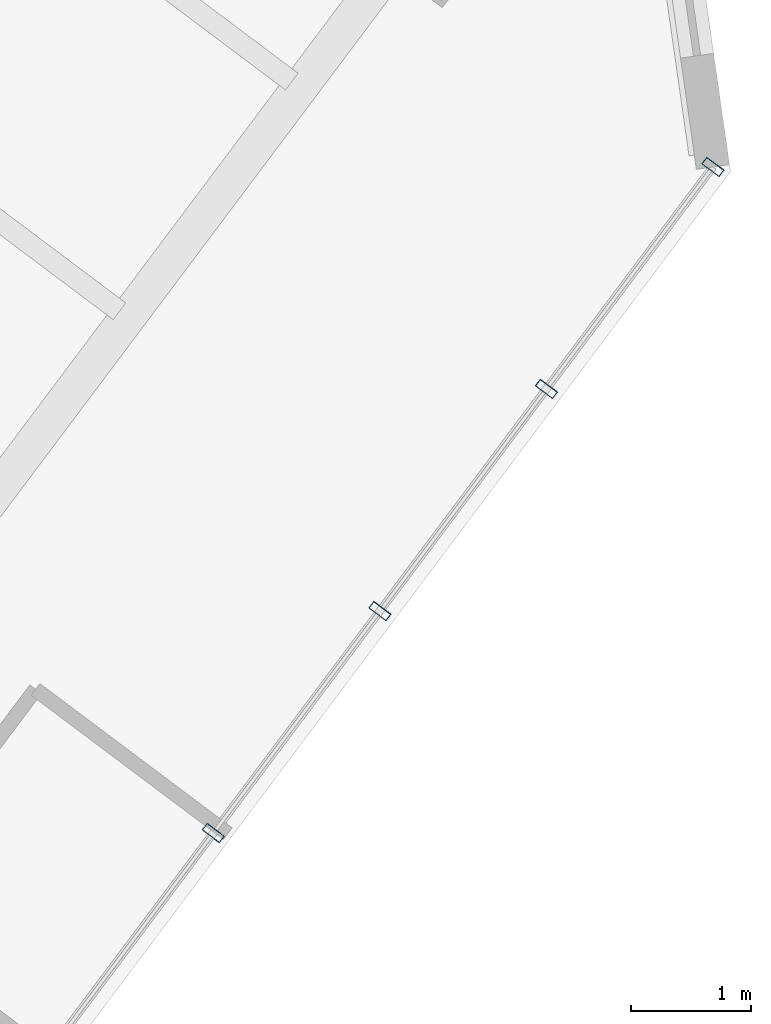
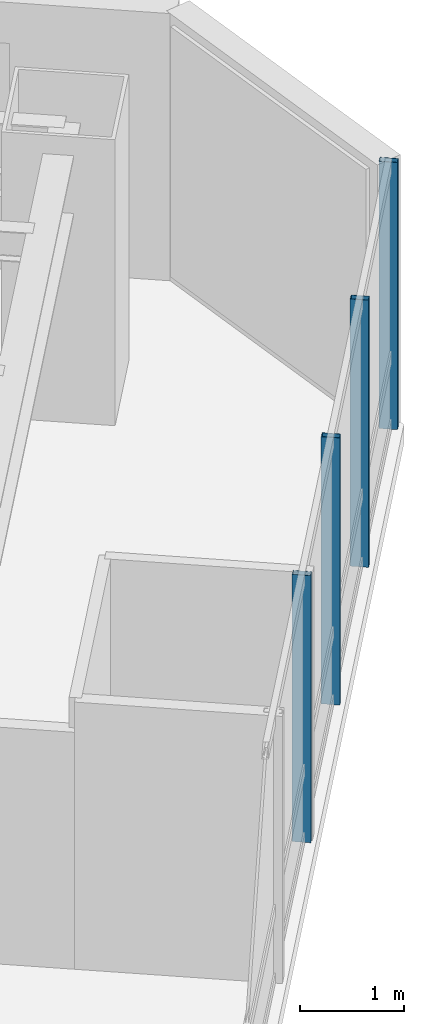
# One storey, part 19 of 33: 4 members, 1 element without a shape of its own.
"""IFC4 building model written with IfcOpenShell, lengths in metres."""

from ifc_helpers import new_model, si_unit, direction, frame, origin, origin_2d, place, context, subcontext, project, spatial, hollow_rectangle, extrude, material, layer, layer_set, material_profile, profile_set, type_object, element, aggregate, save


model = new_model("IFC4")

# Units and contexts
model_context = context("Model", 3, precision=1e-05, world=origin(), true_north=direction((0.0, 1.0)))
body_context = subcontext(model_context, "Body", "Model", "MODEL_VIEW")
ifc_project = project(units=[si_unit("LENGTHUNIT", "METRE"), si_unit("AREAUNIT", "SQUARE_METRE"), si_unit("VOLUMEUNIT", "CUBIC_METRE"), si_unit("PLANEANGLEUNIT", "RADIAN"), si_unit("MASSUNIT", "GRAM", prefix="KILO")], contexts=[model_context])

# Site, building, storey
site_placement = place(None, origin())
site = spatial("IfcSite", under=ifc_project, at=site_placement, CompositionType="ELEMENT")
building_placement = place(site_placement, origin())
building = spatial("IfcBuilding", under=site, at=building_placement, Name="Hatsunagi Terrace Concourse", CompositionType="ELEMENT")
storey_placement = place(building_placement, frame((0.0, 0.0, 53.35009765625)))
storey = spatial("IfcBuildingStorey", under=building, at=storey_placement, Name="L13", CompositionType="ELEMENT", Elevation=53.35009765625)

# Curtain wall, members
ifc_material_1 = material(Name="Anodised Aluminium Alloy 6063-T5", Category="aluminium")
ifc_layer = layer(ifc_material_1, 0.199951171875)
ifc_layer_set = layer_set([ifc_layer], Name="HotelFacade_CW02")
curtain_wall_type = type_object("IfcCurtainWallType", Name="HotelFacade_CW02", PredefinedType="NOTDEFINED", material=ifc_layer_set)
curtain_wall_placement = place(storey_placement, origin())
curtain_wall = element("IfcCurtainWall", 1, at=curtain_wall_placement, inside=storey, type_object=curtain_wall_type, Name="Unitised Curtain Wall CW-02 CW-L13-03", PredefinedType="NOTDEFINED")
ifc_material_2 = material(Name="Anodised Aluminium Alloy 6063-T5", Category="aluminium")
ifc_material_profile = material_profile(ifc_material_2, hollow_rectangle(XDim=0.070068359375, YDim=0.179931640625, WallThickness=0.00390625, at=origin_2d()), Name="ALU-MUL-180x70x4")
ifc_profile_set = profile_set([ifc_material_profile], Name="Anodised Aluminium Alloy 6063-T5")
member_type = type_object("IfcMemberType", Name="CurtainWallMullion_180x70", PredefinedType="MULLION", material=ifc_profile_set)
member_1_placement = place(storey_placement, frame((69.093017578125, 19.657958984375, 0.0), z_axis=(0.0, 0.0, 1.0), x_axis=(-0.599969314634, -0.800023013105, 0.0)))
member_1 = element("IfcMember", 2, at=member_1_placement, type_object=member_type, Name="Curtain Wall Mullion MUL-02", PredefinedType="MULLION", context=body_context, shape_type="SweptSolid", body=[
    extrude(hollow_rectangle(XDim=0.070068359375, YDim=0.179931640625, WallThickness=0.00390625, at=origin_2d()), origin(), (0.0, 0.0, 1.0), 3.1298828125),
])
member_2_placement = place(storey_placement, frame((67.700927734375, 17.802001953125, 0.0), z_axis=(0.0, 0.0, 1.0), x_axis=(-0.599969314634, -0.800023013105, 0.0)))
member_2 = element("IfcMember", 3, at=member_2_placement, type_object=member_type, Name="Curtain Wall Mullion MUL-02", PredefinedType="MULLION", context=body_context, shape_type="SweptSolid", body=[
    extrude(hollow_rectangle(XDim=0.070068359375, YDim=0.179931640625, WallThickness=0.00390625, at=origin_2d()), origin(), (0.0, 0.0, 1.0), 3.1298828125),
])
member_3_placement = place(storey_placement, frame((66.30908203125, 15.945068359375, 0.0), z_axis=(0.0, 0.0, 1.0), x_axis=(-0.599969314634, -0.800023013105, 0.0)))
member_3 = element("IfcMember", 4, at=member_3_placement, type_object=member_type, Name="Curtain Wall Mullion MUL-02", PredefinedType="MULLION", context=body_context, shape_type="SweptSolid", body=[
    extrude(hollow_rectangle(XDim=0.070068359375, YDim=0.179931640625, WallThickness=0.00390625, at=origin_2d()), origin(), (0.0, 0.0, 1.0), 3.1298828125),
])
member_4_placement = place(storey_placement, frame((64.916015625, 14.089111328125, 0.0), z_axis=(0.0, 0.0, 1.0), x_axis=(-0.599969314634, -0.800023013105, 0.0)))
member_4 = element("IfcMember", 5, at=member_4_placement, type_object=member_type, Name="Curtain Wall Mullion MUL-02", PredefinedType="MULLION", context=body_context, shape_type="SweptSolid", body=[
    extrude(hollow_rectangle(XDim=0.070068359375, YDim=0.179931640625, WallThickness=0.00390625, at=origin_2d()), origin(), (0.0, 0.0, 1.0), 3.1298828125),
])
aggregate(curtain_wall, [member_1, member_2, member_3, member_4])

save(model, "model.ifc")
